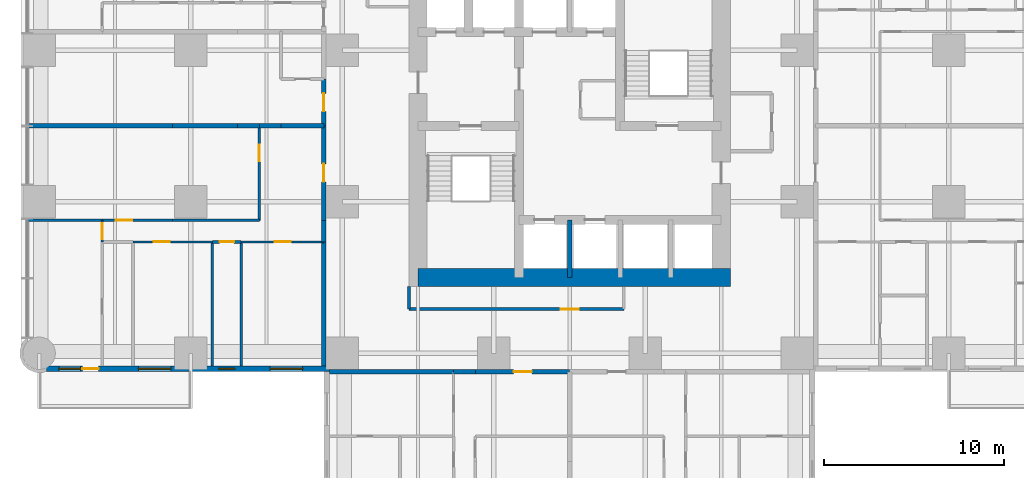
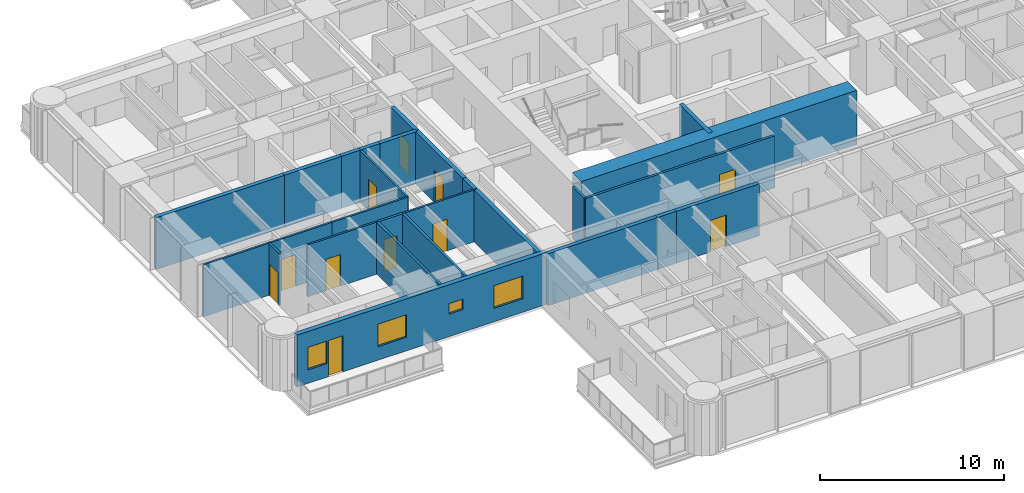
# One storey, part 8 of 17: 27 walls, 11 doors, 4 windows, 15 openings.
"""IFC4 building model written with IfcOpenShell, lengths in metres."""

from ifc_helpers import new_model, si_unit, direction, frame, frame_2d, origin, place, context, subcontext, project, spatial, rectangle, extrude, material, layer, layer_set, type_object, element, fill, save


model = new_model("IFC4")

# Units and contexts
model_context = context("Model", 3, precision=1e-05, world=origin(), true_north=direction((0.0, 1.0)))
body_context = subcontext(model_context, "Body", "Model", "MODEL_VIEW")
ifc_project = project(units=[si_unit("LENGTHUNIT", "METRE"), si_unit("AREAUNIT", "SQUARE_METRE"), si_unit("VOLUMEUNIT", "CUBIC_METRE"), si_unit("PLANEANGLEUNIT", "RADIAN"), si_unit("MASSUNIT", "GRAM", prefix="KILO")], contexts=[model_context])

# Site, building, storey
site_placement = place(None, origin())
site = spatial("IfcSite", under=ifc_project, at=site_placement, CompositionType="ELEMENT")
building_placement = place(site_placement, origin())
building = spatial("IfcBuilding", under=site, at=building_placement, Name="Torre Alcanfor", CompositionType="ELEMENT")
storey_placement = place(building_placement, frame((0.0, 0.0, 34.5)))
storey = spatial("IfcBuildingStorey", under=building, at=storey_placement, Name="L07", CompositionType="ELEMENT", Elevation=34.5)

# Wall, opening, door
ifc_material_1 = material(Name="Concrete block masonry, hollow blocks NMX-C-404 9 MPa", Category="masonry")
ifc_layer_1 = layer(ifc_material_1, 0.25)
ifc_layer_set_1 = layer_set([ifc_layer_1], Name="Apartment entrance wall 250 EI 60")
wall_type_1 = type_object("IfcWallType", Name="Apartment entrance wall 250 EI 60", PredefinedType="PARTITIONING", material=ifc_layer_set_1)
wall_1_placement = place(storey_placement, frame((29.39990234375, 15.77490234375, 0.0), z_axis=(0.0, 0.0, 1.0), x_axis=(-1.0, 0.0, 0.0)))
wall_1 = element("IfcWall", 1, at=wall_1_placement, inside=storey, type_object=wall_type_1, Name="Partition L07-CORR / L07-S2-ZAG", PredefinedType="PARTITIONING", context=body_context, shape_type="SweptSolid", body=[
    extrude(rectangle(XDim=5.22900390625, YDim=0.25, at=frame_2d((2.614501953125, 0.0))), origin(), (0.0, 0.0, 1.0), 3.449951171875),
])
opening_1_placement = place(wall_1_placement, frame((2.10009765625, 0.0, 0.0)))
opening_1 = element("IfcOpeningElement", 2, at=opening_1_placement, cuts=wall_1, Name="Opening D-A1", PredefinedType="OPENING", context=body_context, shape_type="SweptSolid", body=[
    extrude(rectangle(XDim=1.0, YDim=2.10009765625, at=frame_2d((0.5, 1.050048828125))), frame((0.0, 0.135009765625, 0.0), z_axis=(0.0, -1.0, 0.0), x_axis=(1.0, 0.0, 0.0)), (0.0, 0.0, 1.0), 0.27001953125),
])
ifc_material_2 = material(Name="Galvanised steel sheet ASTM A653", Category="steel")
door_type_1 = type_object("IfcDoorType", Name="Apartment entrance door FD60 1000x2100", OperationType="SINGLE_SWING_LEFT", PredefinedType="DOOR", material=ifc_material_2)
door_1_placement = place(opening_1_placement, origin())
door_1 = element("IfcDoor", 3, at=door_1_placement, inside=storey, type_object=door_type_1, Name="Apartment entrance L07-S2", OperationType="SINGLE_SWING_LEFT", OverallHeight=2.10009765625, OverallWidth=1.0, PredefinedType="DOOR", context=body_context, shape_type="SweptSolid", body=[
    extrude(rectangle(XDim=1.0, YDim=2.10009765625, at=frame_2d((0.5, 1.050048828125))), frame((0.0, 0.02490234375, 0.0), z_axis=(0.0, -1.0, 0.0), x_axis=(1.0, 0.0, 0.0)), (0.0, 0.0, 1.0), 0.050048828125),
])
fill(opening_1, door_1)

# Walls
wall_2_placement = place(storey_placement, frame((24.1708984375, 15.77490234375, 0.0), z_axis=(0.0, 0.0, 1.0), x_axis=(-1.0, 0.0, 0.0)))
element("IfcWall", 4, at=wall_2_placement, inside=storey, type_object=wall_type_1, Name="Partition L07-CORR / L07-S2-HALL", PredefinedType="PARTITIONING", context=body_context, shape_type="SweptSolid", body=[
    extrude(rectangle(XDim=1.199951171875, YDim=0.25, at=frame_2d((0.60009765625, 0.0))), origin(), (0.0, 0.0, 1.0), 3.449951171875),
])
wall_3_placement = place(storey_placement, frame((22.970947265625, 15.77490234375, 0.0), z_axis=(0.0, 0.0, 1.0), x_axis=(-1.0, 0.0, 0.0)))
element("IfcWall", 5, at=wall_3_placement, inside=storey, type_object=wall_type_1, Name="Partition L07-CORR / L07-S2-SERV", PredefinedType="PARTITIONING", context=body_context, shape_type="SweptSolid", body=[
    extrude(rectangle(XDim=6.870849609375, YDim=0.25, at=frame_2d((3.435546875, 0.0))), origin(), (0.0, 0.0, 1.0), 3.449951171875),
])

# Wall, opening, door
wall_4_placement = place(storey_placement, frame((15.77490234375, 24.1708984375, 0.0), z_axis=(0.0, 0.0, 1.0), x_axis=(0.0, 1.0, 0.0)))
wall_4 = element("IfcWall", 6, at=wall_4_placement, inside=storey, type_object=wall_type_1, Name="Partition L07-CORR / L07-W1-ZAG", PredefinedType="PARTITIONING", context=body_context, shape_type="SweptSolid", body=[
    extrude(rectangle(XDim=5.22900390625, YDim=0.25, at=frame_2d((2.614501953125, 0.0))), origin(), (0.0, 0.0, 1.0), 3.449951171875),
])
opening_2_placement = place(wall_4_placement, frame((2.12890625, 0.0, 0.0)))
opening_2 = element("IfcOpeningElement", 7, at=opening_2_placement, cuts=wall_4, Name="Opening D-A1", PredefinedType="OPENING", context=body_context, shape_type="SweptSolid", body=[
    extrude(rectangle(XDim=1.0, YDim=2.10009765625, at=frame_2d((0.5, 1.050048828125))), frame((0.0, 0.135009765625, 0.0), z_axis=(0.0, -1.0, 0.0), x_axis=(1.0, 0.0, 0.0)), (0.0, 0.0, 1.0), 0.27001953125),
])
door_2_placement = place(opening_2_placement, origin())
door_2 = element("IfcDoor", 8, at=door_2_placement, inside=storey, type_object=door_type_1, Name="Apartment entrance L07-W1", OperationType="SINGLE_SWING_RIGHT", OverallHeight=2.10009765625, OverallWidth=1.0, PredefinedType="DOOR", context=body_context, shape_type="SweptSolid", body=[
    extrude(rectangle(XDim=1.0, YDim=2.10009765625, at=frame_2d((0.5, 1.050048828125))), frame((0.0, 0.02490234375, 0.0), z_axis=(0.0, -1.0, 0.0), x_axis=(1.0, 0.0, 0.0)), (0.0, 0.0, 1.0), 0.050048828125),
])
fill(opening_2, door_2)

# Walls
wall_5_placement = place(storey_placement, frame((15.77490234375, 22.970947265625, 0.0), z_axis=(0.0, 0.0, 1.0), x_axis=(0.0, 1.0, 0.0)))
element("IfcWall", 9, at=wall_5_placement, inside=storey, type_object=wall_type_1, Name="Partition L07-CORR / L07-W1-HALL", PredefinedType="PARTITIONING", context=body_context, shape_type="SweptSolid", body=[
    extrude(rectangle(XDim=1.199951171875, YDim=0.25, at=frame_2d((0.60009765625, 0.0))), origin(), (0.0, 0.0, 1.0), 3.449951171875),
])
wall_6_placement = place(storey_placement, frame((15.77490234375, 16.10009765625, 0.0), z_axis=(0.0, 0.0, 1.0), x_axis=(0.0, 1.0, 0.0)))
element("IfcWall", 10, at=wall_6_placement, inside=storey, type_object=wall_type_1, Name="Partition L07-CORR / L07-W1-BED3", PredefinedType="PARTITIONING", context=body_context, shape_type="SweptSolid", body=[
    extrude(rectangle(XDim=6.870849609375, YDim=0.25, at=frame_2d((3.435546875, 0.0))), origin(), (0.0, 0.0, 1.0), 3.449951171875),
])

# Wall, opening, door
wall_7_placement = place(storey_placement, frame((15.77490234375, 29.39990234375, 0.0), z_axis=(0.0, 0.0, 1.0), x_axis=(0.0, 1.0, 0.0)))
wall_7 = element("IfcWall", 11, at=wall_7_placement, inside=storey, type_object=wall_type_1, Name="Partition L07-CORR / L07-W2A-FOYER", PredefinedType="PARTITIONING", context=body_context, shape_type="SweptSolid", body=[
    extrude(rectangle(XDim=2.60009765625, YDim=0.25, at=frame_2d((1.300048828125, 0.0))), origin(), (0.0, 0.0, 1.0), 3.449951171875),
])
opening_3_placement = place(wall_7_placement, frame((0.800048828125, 0.0, 0.0)))
opening_3 = element("IfcOpeningElement", 12, at=opening_3_placement, cuts=wall_7, Name="Opening D-A1", PredefinedType="OPENING", context=body_context, shape_type="SweptSolid", body=[
    extrude(rectangle(XDim=1.0, YDim=2.10009765625, at=frame_2d((0.5, 1.050048828125))), frame((0.0, 0.135009765625, 0.0), z_axis=(0.0, -1.0, 0.0), x_axis=(1.0, 0.0, 0.0)), (0.0, 0.0, 1.0), 0.27001953125),
])
door_3_placement = place(opening_3_placement, origin())
door_3 = element("IfcDoor", 13, at=door_3_placement, inside=storey, type_object=door_type_1, Name="Apartment entrance L07-W2A", OperationType="SINGLE_SWING_LEFT", OverallHeight=2.10009765625, OverallWidth=1.0, PredefinedType="DOOR", context=body_context, shape_type="SweptSolid", body=[
    extrude(rectangle(XDim=1.0, YDim=2.10009765625, at=frame_2d((0.5, 1.050048828125))), frame((0.0, 0.02490234375, 0.0), z_axis=(0.0, -1.0, 0.0), x_axis=(1.0, 0.0, 0.0)), (0.0, 0.0, 1.0), 0.050048828125),
])
fill(opening_3, door_3)

ifc_material_3 = material(Name="Gypsum board on steel studs", Category="steel")
ifc_layer_2 = layer(ifc_material_3, 0.1201171875)
ifc_layer_set_2 = layer_set([ifc_layer_2], Name="Apartment partition 120")
wall_type_2 = type_object("IfcWallType", Name="Apartment partition 120", PredefinedType="PARTITIONING", material=ifc_layer_set_2)
wall_8_placement = place(storey_placement, frame((12.199951171875, 29.39990234375, 0.0), z_axis=(0.0, 0.0, 1.0), x_axis=(0.0, -1.0, 0.0)))
wall_8 = element("IfcWall", 14, at=wall_8_placement, inside=storey, type_object=wall_type_2, Name="Partition L07-W1-ZAG / L07-W1-KITCHEN", PredefinedType="PARTITIONING", context=body_context, shape_type="SweptSolid", body=[
    extrude(rectangle(XDim=5.22900390625, YDim=0.1201171875, at=frame_2d((2.614501953125, 0.0))), origin(), (0.0, 0.0, 1.0), 3.449951171875),
])
opening_4_placement = place(wall_8_placement, frame((1.050048828125, 0.0, 0.0)))
opening_4 = element("IfcOpeningElement", 15, at=opening_4_placement, cuts=wall_8, Name="Opening D-R1", PredefinedType="OPENING", context=body_context, shape_type="SweptSolid", body=[
    extrude(rectangle(XDim=0.89990234375, YDim=2.10009765625, at=frame_2d((0.449951171875, 1.050048828125))), frame((0.0, 0.070068359375, 0.0), z_axis=(0.0, -1.0, 0.0), x_axis=(1.0, 0.0, 0.0)), (0.0, 0.0, 1.0), 0.14013671875),
])
ifc_material_4 = material(Name="Timber", Category="wood")
door_type_2 = type_object("IfcDoorType", Name="Internal door 900x2100", OperationType="SINGLE_SWING_LEFT", PredefinedType="DOOR", material=ifc_material_4)
door_4_placement = place(opening_4_placement, frame((0.89990234375, 0.0, 0.0), z_axis=(0.0, 0.0, 1.0), x_axis=(-1.0, 0.0, 0.0)))
door_4 = element("IfcDoor", 16, at=door_4_placement, inside=storey, type_object=door_type_2, Name="Door L07-W1 kitchen", OperationType="SINGLE_SWING_RIGHT", OverallHeight=2.10009765625, OverallWidth=0.89990234375, PredefinedType="DOOR", context=body_context, shape_type="SweptSolid", body=[
    extrude(rectangle(XDim=0.89990234375, YDim=2.10009765625, at=frame_2d((0.449951171875, 1.050048828125))), frame((0.0, 0.025146484375, 0.0), z_axis=(0.0, -1.0, 0.0), x_axis=(1.0, 0.0, 0.0)), (0.0, 0.0, 1.0), 0.050048828125),
])
fill(opening_4, door_4)

# Wall
wall_9_placement = place(storey_placement, frame((7.39990234375, 24.1708984375, 0.0), z_axis=(0.0, 0.0, 1.0), x_axis=(1.0, 0.0, 0.0)))
element("IfcWall", 17, at=wall_9_placement, inside=storey, type_object=wall_type_2, Name="Partition L07-W1-KITCHEN / L07-W1-HALL", PredefinedType="PARTITIONING", context=body_context, shape_type="SweptSolid", body=[
    extrude(rectangle(XDim=4.800048828125, YDim=0.1201171875, at=frame_2d((2.39990234375, 0.0))), origin(), (0.0, 0.0, 1.0), 3.449951171875),
])

# Wall, opening, door
wall_10_placement = place(storey_placement, frame((3.5, 24.1708984375, 0.0), z_axis=(0.0, 0.0, 1.0), x_axis=(1.0, 0.0, 0.0)))
wall_10 = element("IfcWall", 18, at=wall_10_placement, inside=storey, type_object=wall_type_2, Name="Partition L07-W1-LIVING / L07-W1-HALL", PredefinedType="PARTITIONING", context=body_context, shape_type="SweptSolid", body=[
    extrude(rectangle(XDim=3.89990234375, YDim=0.1201171875, at=frame_2d((1.949951171875, 0.0))), origin(), (0.0, 0.0, 1.0), 3.449951171875),
])
opening_5_placement = place(wall_10_placement, frame((0.75, 0.0, 0.0)))
opening_5 = element("IfcOpeningElement", 19, at=opening_5_placement, cuts=wall_10, Name="Opening D-R1", PredefinedType="OPENING", context=body_context, shape_type="SweptSolid", body=[
    extrude(rectangle(XDim=0.89990234375, YDim=2.10009765625, at=frame_2d((0.449951171875, 1.050048828125))), frame((0.0, 0.070068359375, 0.0), z_axis=(0.0, -1.0, 0.0), x_axis=(1.0, 0.0, 0.0)), (0.0, 0.0, 1.0), 0.14013671875),
])
door_5_placement = place(opening_5_placement, origin())
door_5 = element("IfcDoor", 20, at=door_5_placement, inside=storey, type_object=door_type_2, Name="Door L07-W1 living", OperationType="SINGLE_SWING_RIGHT", OverallHeight=2.10009765625, OverallWidth=0.89990234375, PredefinedType="DOOR", context=body_context, shape_type="SweptSolid", body=[
    extrude(rectangle(XDim=0.89990234375, YDim=2.10009765625, at=frame_2d((0.449951171875, 1.050048828125))), frame((0.0, 0.02490234375, 0.0), z_axis=(0.0, -1.0, 0.0), x_axis=(1.0, 0.0, 0.0)), (0.0, 0.0, 1.0), 0.050048828125),
])
fill(opening_5, door_5)

# Wall
wall_11_placement = place(storey_placement, frame((-0.64990234375, 24.1708984375, 0.0), z_axis=(0.0, 0.0, 1.0), x_axis=(1.0, 0.0, 0.0)))
element("IfcWall", 21, at=wall_11_placement, inside=storey, type_object=wall_type_2, Name="Partition L07-W1-LIVING / L07-W1-MASTER", PredefinedType="PARTITIONING", context=body_context, shape_type="SweptSolid", body=[
    extrude(rectangle(XDim=4.14990234375, YDim=0.1201171875, at=frame_2d((2.074951171875, 0.0))), origin(), (0.0, 0.0, 1.0), 3.449951171875),
])

# Wall, opening, door
wall_12_placement = place(storey_placement, frame((11.199951171875, 22.970947265625, 0.0), z_axis=(0.0, 0.0, 1.0), x_axis=(1.0, 0.0, 0.0)))
wall_12 = element("IfcWall", 22, at=wall_12_placement, inside=storey, type_object=wall_type_2, Name="Partition L07-W1-HALL / L07-W1-BED3", PredefinedType="PARTITIONING", context=body_context, shape_type="SweptSolid", body=[
    extrude(rectangle(XDim=4.574951171875, YDim=0.1201171875, at=frame_2d((2.28759765625, 0.0))), origin(), (0.0, 0.0, 1.0), 3.449951171875),
])
opening_6_placement = place(wall_12_placement, frame((1.85009765625, 0.0, 0.0)))
opening_6 = element("IfcOpeningElement", 23, at=opening_6_placement, cuts=wall_12, Name="Opening D-R1", PredefinedType="OPENING", context=body_context, shape_type="SweptSolid", body=[
    extrude(rectangle(XDim=0.89990234375, YDim=2.10009765625, at=frame_2d((0.449951171875, 1.050048828125))), frame((0.0, 0.070068359375, 0.0), z_axis=(0.0, -1.0, 0.0), x_axis=(1.0, 0.0, 0.0)), (0.0, 0.0, 1.0), 0.14013671875),
])
door_6_placement = place(opening_6_placement, frame((0.89990234375, 0.0, 0.0), z_axis=(0.0, 0.0, 1.0), x_axis=(-1.0, 0.0, 0.0)))
door_6 = element("IfcDoor", 24, at=door_6_placement, inside=storey, type_object=door_type_2, Name="Door L07-W1 bed3", OperationType="SINGLE_SWING_LEFT", OverallHeight=2.10009765625, OverallWidth=0.89990234375, PredefinedType="DOOR", context=body_context, shape_type="SweptSolid", body=[
    extrude(rectangle(XDim=0.89990234375, YDim=2.10009765625, at=frame_2d((0.449951171875, 1.050048828125))), frame((0.0, 0.025146484375, 0.0), z_axis=(0.0, -1.0, 0.0), x_axis=(1.0, 0.0, 0.0)), (0.0, 0.0, 1.0), 0.050048828125),
])
fill(opening_6, door_6)

wall_13_placement = place(storey_placement, frame((5.199951171875, 22.970947265625, 0.0), z_axis=(0.0, 0.0, 1.0), x_axis=(1.0, 0.0, 0.0)))
wall_13 = element("IfcWall", 25, at=wall_13_placement, inside=storey, type_object=wall_type_2, Name="Partition L07-W1-HALL / L07-W1-BED2", PredefinedType="PARTITIONING", context=body_context, shape_type="SweptSolid", body=[
    extrude(rectangle(XDim=4.400146484375, YDim=0.1201171875, at=frame_2d((2.2001953125, 0.0))), origin(), (0.0, 0.0, 1.0), 3.449951171875),
])
opening_7_placement = place(wall_13_placement, frame((1.14990234375, 0.0, 0.0)))
opening_7 = element("IfcOpeningElement", 26, at=opening_7_placement, cuts=wall_13, Name="Opening D-R1", PredefinedType="OPENING", context=body_context, shape_type="SweptSolid", body=[
    extrude(rectangle(XDim=0.89990234375, YDim=2.10009765625, at=frame_2d((0.449951171875, 1.050048828125))), frame((0.0, 0.070068359375, 0.0), z_axis=(0.0, -1.0, 0.0), x_axis=(1.0, 0.0, 0.0)), (0.0, 0.0, 1.0), 0.14013671875),
])
door_7_placement = place(opening_7_placement, frame((0.89990234375, 0.0, 0.0), z_axis=(0.0, 0.0, 1.0), x_axis=(-1.0, 0.0, 0.0)))
door_7 = element("IfcDoor", 27, at=door_7_placement, inside=storey, type_object=door_type_2, Name="Door L07-W1 bed2", OperationType="SINGLE_SWING_RIGHT", OverallHeight=2.10009765625, OverallWidth=0.89990234375, PredefinedType="DOOR", context=body_context, shape_type="SweptSolid", body=[
    extrude(rectangle(XDim=0.89990234375, YDim=2.10009765625, at=frame_2d((0.449951171875, 1.050048828125))), frame((0.0, 0.025146484375, 0.0), z_axis=(0.0, -1.0, 0.0), x_axis=(1.0, 0.0, 0.0)), (0.0, 0.0, 1.0), 0.050048828125),
])
fill(opening_7, door_7)

wall_14_placement = place(storey_placement, frame((3.5, 24.1708984375, 0.0), z_axis=(0.0, 0.0, 1.0), x_axis=(0.0, -1.0, 0.0)))
wall_14 = element("IfcWall", 28, at=wall_14_placement, inside=storey, type_object=wall_type_2, Name="Partition L07-W1-HALL / L07-W1-MASTER", PredefinedType="PARTITIONING", context=body_context, shape_type="SweptSolid", body=[
    extrude(rectangle(XDim=1.199951171875, YDim=0.1201171875, at=frame_2d((0.60009765625, 0.0))), origin(), (0.0, 0.0, 1.0), 3.449951171875),
])
opening_8_placement = place(wall_14_placement, frame((0.15087890625, 0.0, 0.0)))
opening_8 = element("IfcOpeningElement", 29, at=opening_8_placement, cuts=wall_14, Name="Opening D-R1", PredefinedType="OPENING", context=body_context, shape_type="SweptSolid", body=[
    extrude(rectangle(XDim=0.89990234375, YDim=2.10009765625, at=frame_2d((0.449951171875, 1.050048828125))), frame((0.0, 0.070068359375, 0.0), z_axis=(0.0, -1.0, 0.0), x_axis=(1.0, 0.0, 0.0)), (0.0, 0.0, 1.0), 0.14013671875),
])
door_8_placement = place(opening_8_placement, frame((0.89990234375, 0.0, 0.0), z_axis=(0.0, 0.0, 1.0), x_axis=(-1.0, 0.0, 0.0)))
door_8 = element("IfcDoor", 30, at=door_8_placement, inside=storey, type_object=door_type_2, Name="Door L07-W1 master", OperationType="SINGLE_SWING_RIGHT", OverallHeight=2.10009765625, OverallWidth=0.89990234375, PredefinedType="DOOR", context=body_context, shape_type="SweptSolid", body=[
    extrude(rectangle(XDim=0.89990234375, YDim=2.10009765625, at=frame_2d((0.449951171875, 1.050048828125))), frame((0.0, 0.025146484375, 0.0), z_axis=(0.0, -1.0, 0.0), x_axis=(1.0, 0.0, 0.0)), (0.0, 0.0, 1.0), 0.050048828125),
])
fill(opening_8, door_8)

# Walls
ifc_material_5 = material(Name="Concrete f'c 70 MPa", Category="concrete")
ifc_layer_3 = layer(ifc_material_5, 0.25)
ifc_layer_set_3 = layer_set([ifc_layer_3], Name="Core shaft wall 250 f'c70")
wall_type_3 = type_object("IfcWallType", Name="Core shaft wall 250 f'c70", PredefinedType="SHEAR", material=ifc_layer_set_3)
wall_15_placement = place(storey_placement, frame((29.39990234375, 21.0, 0.0), z_axis=(0.0, 0.0, 1.0), x_axis=(0.0, 1.0, 0.0)))
element("IfcWall", 31, at=wall_15_placement, inside=storey, type_object=wall_type_3, Name="Core wall X294S L07", PredefinedType="SHEAR", context=body_context, shape_type="SweptSolid", body=[
    extrude(rectangle(XDim=3.199951171875, YDim=0.25, at=frame_2d((1.60009765625, 0.0))), origin(), (0.0, 0.0, 1.0), 3.60009765625),
])
ifc_material_6 = material(Name="Concrete f'c 70 MPa", Category="concrete")
ifc_layer_4 = layer(ifc_material_6, 1.0)
ifc_layer_set_4 = layer_set([ifc_layer_4], Name="Core wall 1000 f'c70")
wall_type_4 = type_object("IfcWallType", Name="Core wall 1000 f'c70", PredefinedType="SHEAR", material=ifc_layer_set_4)
wall_16_placement = place(storey_placement, frame((21.0, 21.0, 0.0), z_axis=(0.0, 0.0, 1.0), x_axis=(1.0, 0.0, 0.0)))
element("IfcWall", 32, at=wall_16_placement, inside=storey, type_object=wall_type_4, Name="Core wall OUT-S L07", PredefinedType="SHEAR", context=body_context, shape_type="SweptSolid", body=[
    extrude(rectangle(XDim=17.300048828125, YDim=1.0, at=frame_2d((8.64990234375, 0.0))), origin(), (0.0, 0.0, 1.0), 3.60009765625),
])

# Wall, openings, door, windows
ifc_material_7 = material(Name="Limestone cladding", Category="masonry")
ifc_layer_5 = layer(ifc_material_7, 0.0400390625, Name="Facing")
ifc_material_8 = material(Name="Ventilated air cavity")
ifc_layer_6 = layer(ifc_material_8, 0.02001953125, ventilated=True, Name="Ventilated joint")
ifc_material_9 = material(Name="Mineral wool insulation", Category="insulation")
ifc_layer_7 = layer(ifc_material_9, 0.10009765625, Name="Insulation")
ifc_material_10 = material(Name="Concrete f'c 35 MPa", Category="concrete")
ifc_layer_8 = layer(ifc_material_10, 0.139892578125, Name="Backing")
ifc_layer_set_5 = layer_set([ifc_layer_5, ifc_layer_6, ifc_layer_7, ifc_layer_8], Name="External wall stone-clad 300")
wall_type_5 = type_object("IfcWallType", Name="External wall stone-clad 300", PredefinedType="SOLIDWALL", material=ifc_layer_set_5)
wall_17_placement = place(storey_placement, frame((0.39990234375, 15.949951171875, 0.0), z_axis=(0.0, 0.0, 1.0), x_axis=(1.0, 0.0, 0.0)))
wall_17 = element("IfcWall", 33, at=wall_17_placement, inside=storey, type_object=wall_type_5, Name="External wall L07 3", PredefinedType="SOLIDWALL", context=body_context, shape_type="SweptSolid", body=[
    extrude(rectangle(XDim=15.7001953125, YDim=0.300048828125, at=frame_2d((7.85009765625, 0.0))), origin(), (0.0, 0.0, 1.0), 3.449951171875),
])
opening_9_placement = place(wall_17_placement, frame((12.39990234375, 0.0, 0.89990234375)))
opening_9 = element("IfcOpeningElement", 34, at=opening_9_placement, cuts=wall_17, Name="Opening W2", PredefinedType="OPENING", context=body_context, shape_type="SweptSolid", body=[
    extrude(rectangle(XDim=1.800048828125, YDim=1.5, at=frame_2d((0.89990234375, 0.75))), frame((0.0, 0.159912109375, 0.0), z_axis=(0.0, -1.0, 0.0), x_axis=(1.0, 0.0, 0.0)), (0.0, 0.0, 1.0), 0.320068359375),
])
opening_10_placement = place(wall_17_placement, frame((9.550048828125, 0.0, 1.5)))
opening_10 = element("IfcOpeningElement", 35, at=opening_10_placement, cuts=wall_17, Name="Opening W3", PredefinedType="OPENING", context=body_context, shape_type="SweptSolid", body=[
    extrude(rectangle(XDim=0.89990234375, YDim=0.699951171875, at=frame_2d((0.449951171875, 0.35009765625))), frame((0.0, 0.159912109375, 0.0), z_axis=(0.0, -1.0, 0.0), x_axis=(1.0, 0.0, 0.0)), (0.0, 0.0, 1.0), 0.320068359375),
])
opening_11_placement = place(wall_17_placement, frame((5.10009765625, 0.0, 0.89990234375)))
opening_11 = element("IfcOpeningElement", 36, at=opening_11_placement, cuts=wall_17, Name="Opening W2", PredefinedType="OPENING", context=body_context, shape_type="SweptSolid", body=[
    extrude(rectangle(XDim=1.800048828125, YDim=1.5, at=frame_2d((0.89990234375, 0.75))), frame((0.0, 0.159912109375, 0.0), z_axis=(0.0, -1.0, 0.0), x_axis=(1.0, 0.0, 0.0)), (0.0, 0.0, 1.0), 0.320068359375),
])
opening_12_placement = place(wall_17_placement, frame((2.0, 0.0, 0.0)))
opening_12 = element("IfcOpeningElement", 37, at=opening_12_placement, cuts=wall_17, Name="Opening D-B1", PredefinedType="OPENING", context=body_context, shape_type="SweptSolid", body=[
    extrude(rectangle(XDim=0.89990234375, YDim=2.39990234375, at=frame_2d((0.449951171875, 1.199951171875))), frame((0.0, 0.159912109375, 0.0), z_axis=(0.0, -1.0, 0.0), x_axis=(1.0, 0.0, 0.0)), (0.0, 0.0, 1.0), 0.320068359375),
])
opening_13_placement = place(wall_17_placement, frame((0.699951171875, 0.0, 0.89990234375)))
opening_13 = element("IfcOpeningElement", 38, at=opening_13_placement, cuts=wall_17, Name="Opening W4", PredefinedType="OPENING", context=body_context, shape_type="SweptSolid", body=[
    extrude(rectangle(XDim=1.199951171875, YDim=1.5, at=frame_2d((0.60009765625, 0.75))), frame((0.0, 0.159912109375, 0.0), z_axis=(0.0, -1.0, 0.0), x_axis=(1.0, 0.0, 0.0)), (0.0, 0.0, 1.0), 0.320068359375),
])
ifc_material_11 = material(Name="Aluminium and glass", Category="aluminium")
door_type_3 = type_object("IfcDoorType", Name="Balcony door glazed 900x2400", OperationType="SINGLE_SWING_LEFT", PredefinedType="DOOR", material=ifc_material_11)
door_9_placement = place(opening_12_placement, origin())
door_9 = element("IfcDoor", 39, at=door_9_placement, inside=storey, type_object=door_type_3, Name="Balcony door L07-W1", OperationType="SINGLE_SWING_RIGHT", OverallHeight=2.39990234375, OverallWidth=0.89990234375, PredefinedType="DOOR", context=body_context, shape_type="SweptSolid", body=[
    extrude(rectangle(XDim=0.89990234375, YDim=2.39990234375, at=frame_2d((0.449951171875, 1.199951171875))), frame((0.0, 0.02490234375, 0.0), z_axis=(0.0, -1.0, 0.0), x_axis=(1.0, 0.0, 0.0)), (0.0, 0.0, 1.0), 0.050048828125),
])
fill(opening_12, door_9)
ifc_material_12 = material(Name="Aluminium frame with clear double glazing", Category="aluminium")
window_type_1 = type_object("IfcWindowType", Name="Window bathroom 900x700", PartitioningType="SINGLE_PANEL", PredefinedType="WINDOW", material=ifc_material_12)
window_1_placement = place(opening_10_placement, origin())
window_1 = element("IfcWindow", 40, at=window_1_placement, inside=storey, type_object=window_type_1, Name="Window W3 L07-W1", OverallHeight=0.699951171875, OverallWidth=0.89990234375, PartitioningType="SINGLE_PANEL", PredefinedType="WINDOW", context=body_context, shape_type="SweptSolid", body=[
    extrude(rectangle(XDim=0.89990234375, YDim=0.699951171875, at=frame_2d((0.449951171875, 0.35009765625))), frame((0.0, 0.030029296875, 0.0), z_axis=(0.0, -1.0, 0.0), x_axis=(1.0, 0.0, 0.0)), (0.0, 0.0, 1.0), 0.06005859375),
])
fill(opening_10, window_1)
ifc_material_13 = material(Name="Aluminium frame with clear double glazing", Category="aluminium")
window_type_2 = type_object("IfcWindowType", Name="Window bedroom 1200x1500", PartitioningType="SINGLE_PANEL", PredefinedType="WINDOW", material=ifc_material_13)
window_2_placement = place(opening_13_placement, origin())
window_2 = element("IfcWindow", 41, at=window_2_placement, inside=storey, type_object=window_type_2, Name="Window W4 L07-W1", OverallHeight=1.5, OverallWidth=1.199951171875, PartitioningType="SINGLE_PANEL", PredefinedType="WINDOW", context=body_context, shape_type="SweptSolid", body=[
    extrude(rectangle(XDim=1.199951171875, YDim=1.5, at=frame_2d((0.60009765625, 0.75))), frame((0.0, 0.030029296875, 0.0), z_axis=(0.0, -1.0, 0.0), x_axis=(1.0, 0.0, 0.0)), (0.0, 0.0, 1.0), 0.06005859375),
])
fill(opening_13, window_2)
ifc_material_14 = material(Name="Aluminium frame with clear double glazing", Category="aluminium")
window_type_3 = type_object("IfcWindowType", Name="Window bedroom 1800x1500", PartitioningType="SINGLE_PANEL", PredefinedType="WINDOW", material=ifc_material_14)
window_3_placement = place(opening_9_placement, origin())
window_3 = element("IfcWindow", 42, at=window_3_placement, inside=storey, type_object=window_type_3, Name="Window W2 L07-W1", OverallHeight=1.5, OverallWidth=1.800048828125, PartitioningType="SINGLE_PANEL", PredefinedType="WINDOW", context=body_context, shape_type="SweptSolid", body=[
    extrude(rectangle(XDim=1.800048828125, YDim=1.5, at=frame_2d((0.89990234375, 0.75))), frame((0.0, 0.030029296875, 0.0), z_axis=(0.0, -1.0, 0.0), x_axis=(1.0, 0.0, 0.0)), (0.0, 0.0, 1.0), 0.06005859375),
])
fill(opening_9, window_3)
window_4_placement = place(opening_11_placement, origin())
window_4 = element("IfcWindow", 43, at=window_4_placement, inside=storey, type_object=window_type_3, Name="Window W2 L07-W1", OverallHeight=1.5, OverallWidth=1.800048828125, PartitioningType="SINGLE_PANEL", PredefinedType="WINDOW", context=body_context, shape_type="SweptSolid", body=[
    extrude(rectangle(XDim=1.800048828125, YDim=1.5, at=frame_2d((0.89990234375, 0.75))), frame((0.0, 0.030029296875, 0.0), z_axis=(0.0, -1.0, 0.0), x_axis=(1.0, 0.0, 0.0)), (0.0, 0.0, 1.0), 0.06005859375),
])
fill(opening_11, window_4)

# Walls
ifc_material_15 = material(Name="Concrete block masonry, hollow blocks NMX-C-404 9 MPa", Category="masonry")
ifc_layer_9 = layer(ifc_material_15, 0.25)
ifc_layer_set_6 = layer_set([ifc_layer_9], Name="Party wall 250 EI 60")
wall_type_6 = type_object("IfcWallType", Name="Party wall 250 EI 60", PredefinedType="PARTITIONING", material=ifc_layer_set_6)
wall_18_placement = place(storey_placement, frame((15.77490234375, 29.39990234375, 0.0), z_axis=(0.0, 0.0, 1.0), x_axis=(-1.0, 0.0, 0.0)))
element("IfcWall", 44, at=wall_18_placement, inside=storey, type_object=wall_type_6, Name="Partition L07-W1-ZAG / L07-W2A-FOYER", PredefinedType="PARTITIONING", context=body_context, shape_type="SweptSolid", body=[
    extrude(rectangle(XDim=2.375, YDim=0.25, at=frame_2d((1.1875, 0.0))), origin(), (0.0, 0.0, 1.0), 3.449951171875),
])
for number, where, z_axis, x_axis, name in (
    (45, (13.39990234375, 29.39990234375, 0.0), (0.0, 0.0, 1.0), (-1.0, 0.0, 0.0), "Partition L07-W1-ZAG / L07-W2A-KITCHEN"),
    (46, (12.199951171875, 29.39990234375, 0.0), (0.0, 0.0, 1.0), (-1.0, 0.0, 0.0), "Partition L07-W1-KITCHEN / L07-W2A-KITCHEN"),
):
    element("IfcWall", number, at=place(storey_placement, frame(where, z_axis=z_axis, x_axis=x_axis)), inside=storey, type_object=wall_type_6, Name=name, PredefinedType="PARTITIONING", context=body_context, shape_type="SweptSolid", body=[
        extrude(rectangle(XDim=1.199951171875, YDim=0.25, at=frame_2d((0.60009765625, 0.0))), origin(), (0.0, 0.0, 1.0), 3.449951171875),
    ])
wall_19_placement = place(storey_placement, frame((11.0, 29.39990234375, 0.0), z_axis=(0.0, 0.0, 1.0), x_axis=(-1.0, 0.0, 0.0)))
element("IfcWall", 47, at=wall_19_placement, inside=storey, type_object=wall_type_6, Name="Partition L07-W1-KITCHEN / L07-W2A-STUDIO", PredefinedType="PARTITIONING", context=body_context, shape_type="SweptSolid", body=[
    extrude(rectangle(XDim=3.60009765625, YDim=0.25, at=frame_2d((1.800048828125, 0.0))), origin(), (0.0, 0.0, 1.0), 3.449951171875),
])
wall_20_placement = place(storey_placement, frame((7.39990234375, 29.39990234375, 0.0), z_axis=(0.0, 0.0, 1.0), x_axis=(-1.0, 0.0, 0.0)))
element("IfcWall", 48, at=wall_20_placement, inside=storey, type_object=wall_type_6, Name="Partition L07-W1-LIVING / L07-W2A-STUDIO", PredefinedType="PARTITIONING", context=body_context, shape_type="SweptSolid", body=[
    extrude(rectangle(XDim=8.0498046875, YDim=0.25, at=frame_2d((4.02490234375, 0.0))), origin(), (0.0, 0.0, 1.0), 3.449951171875),
])
ifc_material_16 = material(Name="Concrete block masonry, hollow blocks NMX-C-404 9 MPa", Category="masonry")
ifc_layer_10 = layer(ifc_material_16, 0.14990234375)
ifc_layer_set_7 = layer_set([ifc_layer_10], Name="Residents' room partition 150")
wall_type_7 = type_object("IfcWallType", Name="Residents' room partition 150", PredefinedType="PARTITIONING", material=ifc_layer_set_7)
wall_21_placement = place(storey_placement, frame((20.5, 20.5, 0.0), z_axis=(0.0, 0.0, 1.0), x_axis=(0.0, -1.0, 0.0)))
element("IfcWall", 49, at=wall_21_placement, inside=storey, type_object=wall_type_7, Name="Partition L07-CORR / L07-G04", PredefinedType="PARTITIONING", context=body_context, shape_type="SweptSolid", body=[
    extrude(rectangle(XDim=1.25, YDim=0.14990234375, at=frame_2d((0.625, 0.0))), origin(), (0.0, 0.0, 1.0), 3.449951171875),
])

# Wall, opening, door
wall_22_placement = place(storey_placement, frame((20.5, 19.25, 0.0), z_axis=(0.0, 0.0, 1.0), x_axis=(1.0, 0.0, 0.0)))
wall_22 = element("IfcWall", 50, at=wall_22_placement, inside=storey, type_object=wall_type_7, Name="Partition L07-CORR / L07-G04", PredefinedType="PARTITIONING", context=body_context, shape_type="SweptSolid", body=[
    extrude(rectangle(XDim=11.89990234375, YDim=0.14990234375, at=frame_2d((5.949951171875, 0.0))), origin(), (0.0, 0.0, 1.0), 3.449951171875),
])
opening_14_placement = place(wall_22_placement, frame((8.39990234375, 0.0, 0.0)))
opening_14 = element("IfcOpeningElement", 51, at=opening_14_placement, cuts=wall_22, Name="Opening D-M1", PredefinedType="OPENING", context=body_context, shape_type="SweptSolid", body=[
    extrude(rectangle(XDim=1.0, YDim=2.10009765625, at=frame_2d((0.5, 1.050048828125))), frame((0.0, 0.0849609375, 0.0), z_axis=(0.0, -1.0, 0.0), x_axis=(1.0, 0.0, 0.0)), (0.0, 0.0, 1.0), 0.169921875),
])
ifc_material_17 = material(Name="Timber", Category="wood")
door_type_4 = type_object("IfcDoorType", Name="Residents' room door 1000x2100", OperationType="SINGLE_SWING_LEFT", PredefinedType="DOOR", material=ifc_material_17)
door_10_placement = place(opening_14_placement, origin())
door_10 = element("IfcDoor", 52, at=door_10_placement, inside=storey, type_object=door_type_4, Name="Door L07-G04 residents' study room", OperationType="SINGLE_SWING_RIGHT", OverallHeight=2.10009765625, OverallWidth=1.0, PredefinedType="DOOR", context=body_context, shape_type="SweptSolid", body=[
    extrude(rectangle(XDim=1.0, YDim=2.10009765625, at=frame_2d((0.5, 1.050048828125))), frame((0.0, 0.02490234375, 0.0), z_axis=(0.0, -1.0, 0.0), x_axis=(1.0, 0.0, 0.0)), (0.0, 0.0, 1.0), 0.050048828125),
])
fill(opening_14, door_10)

ifc_material_18 = material(Name="Cement board on steel studs", Category="steel")
ifc_layer_11 = layer(ifc_material_18, 0.14990234375)
ifc_layer_set_8 = layer_set([ifc_layer_11], Name="Wet area partition 150")
wall_type_8 = type_object("IfcWallType", Name="Wet area partition 150", PredefinedType="PARTITIONING", material=ifc_layer_set_8)
wall_23_placement = place(storey_placement, frame((9.60009765625, 22.970947265625, 0.0), z_axis=(0.0, 0.0, 1.0), x_axis=(1.0, 0.0, 0.0)))
wall_23 = element("IfcWall", 53, at=wall_23_placement, inside=storey, type_object=wall_type_8, Name="Partition L07-W1-HALL / L07-W1-BATH1", PredefinedType="PARTITIONING", context=body_context, shape_type="SweptSolid", body=[
    extrude(rectangle(XDim=1.599853515625, YDim=0.14990234375, at=frame_2d((0.7998046875, 0.0))), origin(), (0.0, 0.0, 1.0), 3.449951171875),
])
opening_15_placement = place(wall_23_placement, frame((0.39990234375, 0.0, 0.0)))
opening_15 = element("IfcOpeningElement", 54, at=opening_15_placement, cuts=wall_23, Name="Opening D-R2", PredefinedType="OPENING", context=body_context, shape_type="SweptSolid", body=[
    extrude(rectangle(XDim=0.800048828125, YDim=2.10009765625, at=frame_2d((0.39990234375, 1.050048828125))), frame((0.0, 0.0849609375, 0.0), z_axis=(0.0, -1.0, 0.0), x_axis=(1.0, 0.0, 0.0)), (0.0, 0.0, 1.0), 0.169921875),
])
ifc_material_19 = material(Name="Timber", Category="wood")
door_type_5 = type_object("IfcDoorType", Name="Bathroom door 800x2100", OperationType="SINGLE_SWING_LEFT", PredefinedType="DOOR", material=ifc_material_19)
door_11_placement = place(opening_15_placement, frame((0.800048828125, 0.0, 0.0), z_axis=(0.0, 0.0, 1.0), x_axis=(-1.0, 0.0, 0.0)))
door_11 = element("IfcDoor", 55, at=door_11_placement, inside=storey, type_object=door_type_5, Name="Door L07-W1 bath1", OperationType="SINGLE_SWING_RIGHT", OverallHeight=2.10009765625, OverallWidth=0.800048828125, PredefinedType="DOOR", context=body_context, shape_type="SweptSolid", body=[
    extrude(rectangle(XDim=0.800048828125, YDim=2.10009765625, at=frame_2d((0.400146484375, 1.050048828125))), frame((0.0, 0.025146484375, 0.0), z_axis=(0.0, -1.0, 0.0), x_axis=(1.0, 0.0, 0.0)), (0.0, 0.0, 1.0), 0.050048828125),
])
fill(opening_15, door_11)

# Walls
for number, where, z_axis, x_axis, name in (
    (56, (11.199951171875, 22.970947265625, 0.0), (0.0, 0.0, 1.0), (0.0, -1.0, 0.0), "Partition L07-W1-BED3 / L07-W1-BATH1"),
    (57, (9.60009765625, 22.970947265625, 0.0), (0.0, 0.0, 1.0), (0.0, -1.0, 0.0), "Partition L07-W1-BATH1 / L07-W1-BED2"),
):
    element("IfcWall", number, at=place(storey_placement, frame(where, z_axis=z_axis, x_axis=x_axis)), inside=storey, type_object=wall_type_8, Name=name, PredefinedType="PARTITIONING", context=body_context, shape_type="SweptSolid", body=[
        extrude(rectangle(XDim=6.870849609375, YDim=0.14990234375, at=frame_2d((3.435546875, 0.0))), origin(), (0.0, 0.0, 1.0), 3.449951171875),
    ])

save(model, "model.ifc")
